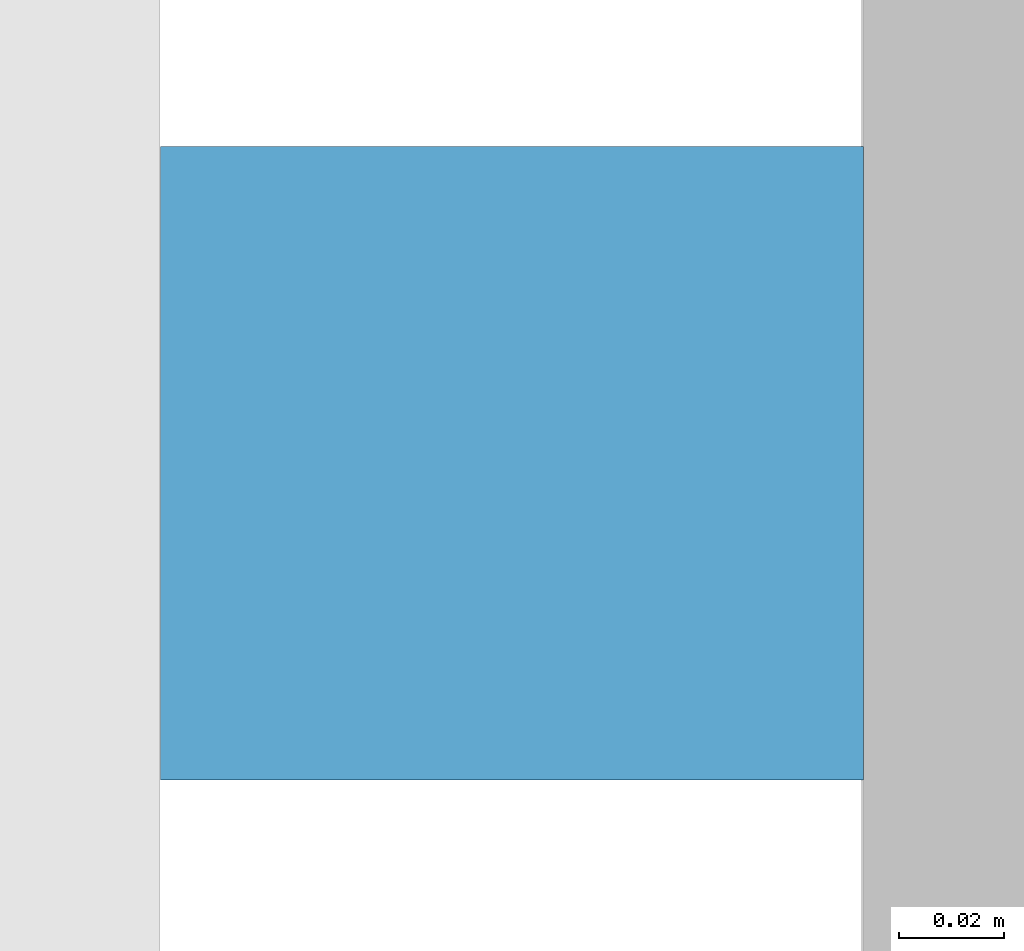
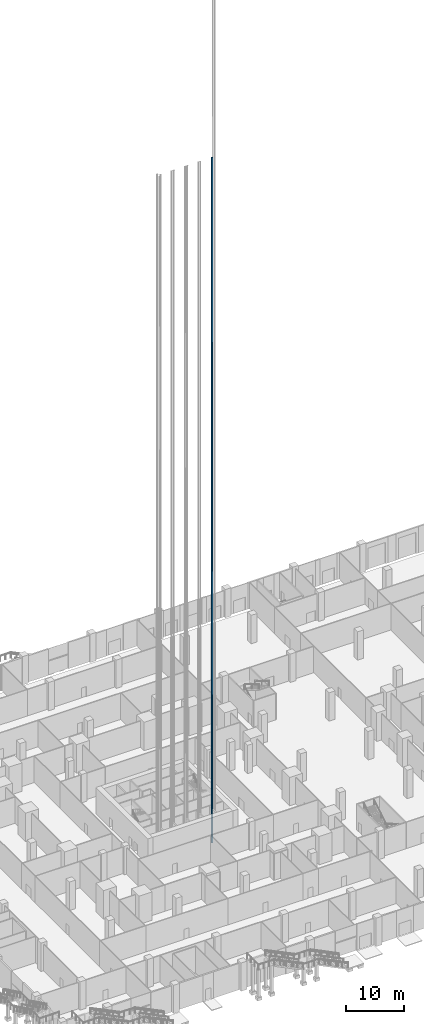
# One storey, part 49 of 68: 1 discrete accessory.
"""IFC4 building model written with IfcOpenShell, lengths in metres."""

from ifc_helpers import new_model, si_unit, direction, frame, origin, origin_2d, place, context, subcontext, project, spatial, rectangle, extrude, element, save


model = new_model("IFC4")

# Units and contexts
model_context = context("Model", 3, precision=1e-05, world=origin(), true_north=direction((0.0, 1.0)))
body_context = subcontext(model_context, "Body", "Model", "MODEL_VIEW")
ifc_project = project(units=[si_unit("LENGTHUNIT", "METRE"), si_unit("AREAUNIT", "SQUARE_METRE"), si_unit("VOLUMEUNIT", "CUBIC_METRE"), si_unit("PLANEANGLEUNIT", "RADIAN"), si_unit("MASSUNIT", "GRAM", prefix="KILO")], contexts=[model_context])

# Site, building, storey
site_placement = place(None, origin())
site = spatial("IfcSite", under=ifc_project, at=site_placement, CompositionType="ELEMENT")
building_placement = place(site_placement, origin())
building = spatial("IfcBuilding", under=site, at=building_placement, Name="Altepetl Exchange Towers", CompositionType="ELEMENT")
storey_placement = place(building_placement, origin())
storey = spatial("IfcBuildingStorey", under=building, at=storey_placement, Name="L00 Ground concourse", CompositionType="ELEMENT", Elevation=0.0)

# Discrete accessory
discrete_accessory_placement = place(storey_placement, frame((54.666748046875, 42.800048828125, -1.60009765625)))
element("IfcDiscreteAccessory", 1, at=discrete_accessory_placement, inside=storey, Name="Guide rail SH1", ObjectType="GUIDE RAIL", PredefinedType="USERDEFINED", context=body_context, shape_type="SweptSolid", body=[
    extrude(rectangle(XDim=0.13330078125, YDim=0.1201171875, at=origin_2d()), origin(), (0.0, 0.0, 1.0), 144.85009765625),
])

save(model, "model.ifc")
